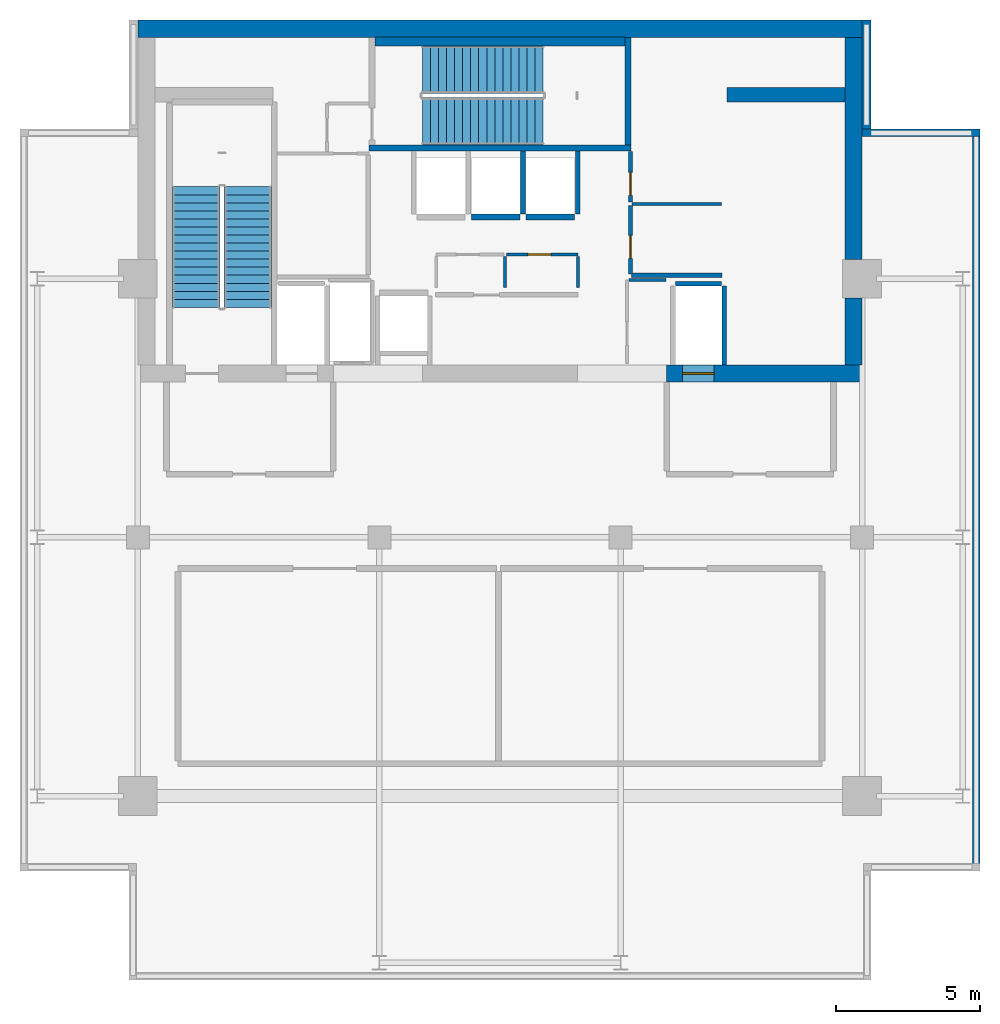
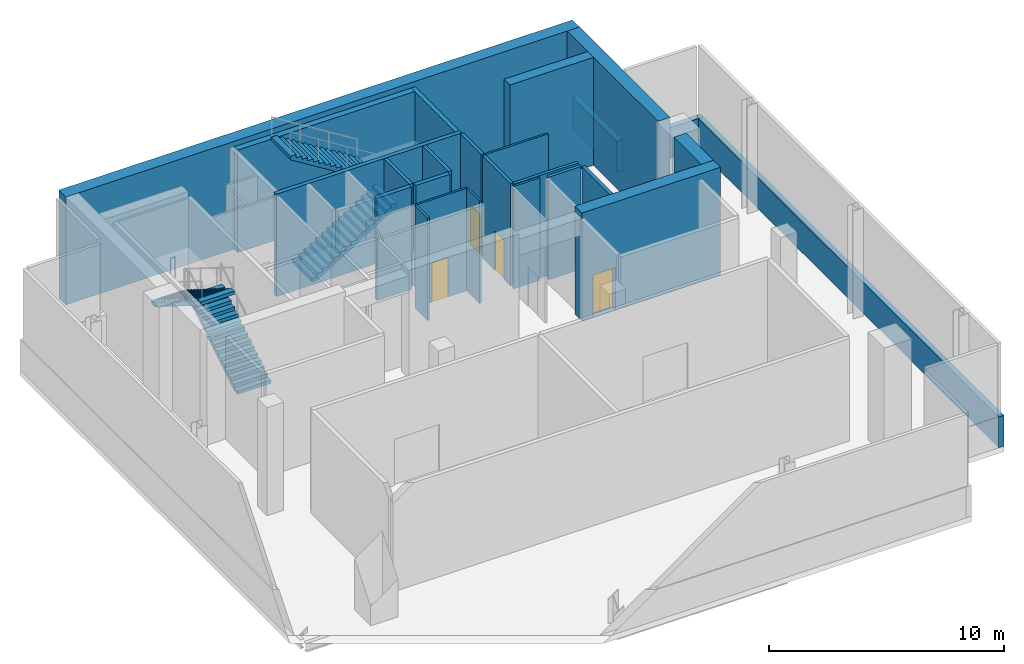
# One storey, part 3 of 6: 25 walls, 4 doors, 4 stair flights, 4 openings, 2 elements without a shape of their own.
"""IFC4 building model written with IfcOpenShell, lengths in metres."""

from ifc_helpers import new_model, si_unit, direction, frame, frame_2d, origin, place, context, subcontext, project, spatial, polyline, rectangle, outline, extrude, material, layer, layer_set, type_object, element, fill, aggregate, save


model = new_model("IFC4")

# Units and contexts
model_context = context("Model", 3, precision=1e-05, world=origin(), true_north=direction((0.0, 1.0)))
body_context = subcontext(model_context, "Body", "Model", "MODEL_VIEW")
ifc_project = project(units=[si_unit("LENGTHUNIT", "METRE"), si_unit("AREAUNIT", "SQUARE_METRE"), si_unit("VOLUMEUNIT", "CUBIC_METRE"), si_unit("PLANEANGLEUNIT", "RADIAN"), si_unit("MASSUNIT", "GRAM", prefix="KILO")], contexts=[model_context])

# Site, building, storey
site_placement = place(None, origin())
site = spatial("IfcSite", under=ifc_project, at=site_placement, CompositionType="ELEMENT")
building_placement = place(site_placement, origin())
building = spatial("IfcBuilding", under=site, at=building_placement, Name="Maruvema Waterfront Hotel and Observation Tower", CompositionType="ELEMENT")
storey_placement = place(building_placement, frame((0.0, 0.0, 364.35009765625)))
storey = spatial("IfcBuildingStorey", under=building, at=storey_placement, Name="L89", CompositionType="ELEMENT", Elevation=364.35009765625)

# Wall, opening, door
ifc_material_1 = material(Name="Twin-stud acoustic gypsum drywall", Category="gypsum")
ifc_layer_1 = layer(ifc_material_1, 0.14990234375, Name="Acoustic Corridor and Suite Demising Wall 150 mm")
ifc_layer_set_1 = layer_set([ifc_layer_1], Name="Twin-stud acoustic gypsum drywall")
wall_type_1 = type_object("IfcWallType", Name="Acoustic Corridor and Suite Demising Wall 150 mm", PredefinedType="PARTITIONING", material=ifc_layer_set_1)
wall_1_placement = place(storey_placement, frame((42.340087890625, 45.159912109375, 0.0), z_axis=(0.0, 0.0, 1.0), x_axis=(0.0, 1.0, 0.0)))
wall_1 = element("IfcWall", 1, at=wall_1_placement, inside=storey, type_object=wall_type_1, Name="L89 Freed B2 West S 023", PredefinedType="PARTITIONING", context=body_context, shape_type="SweptSolid", body=[
    extrude(rectangle(XDim=2.380126953125, YDim=0.14990234375, at=frame_2d((1.18994140625, 0.0))), origin(), (0.0, 0.0, 1.0), 5.31982421875),
])
opening_1_placement = place(wall_1_placement, frame((0.550048828125, 0.0, 0.0)))
opening_1 = element("IfcOpeningElement", 2, at=opening_1_placement, cuts=wall_1, Name="Opening DR-080", PredefinedType="OPENING", context=body_context, shape_type="SweptSolid", body=[
    extrude(rectangle(XDim=0.800048828125, YDim=2.050048828125, at=frame_2d((0.39990234375, 1.02490234375))), frame((0.0, 0.0849609375, 0.0), z_axis=(0.0, -1.0, 0.0), x_axis=(1.0, 0.0, 0.0)), (0.0, 0.0, 1.0), 0.169921875),
])
ifc_material_2 = material(Name="Powder-coated steel access leaf", Category="steel")
door_type_1 = type_object("IfcDoorType", Name="Riser and Service Cupboard Door 800x2050 mm", OperationType="NOTDEFINED", PredefinedType="DOOR", material=ifc_material_2)
door_1_placement = place(opening_1_placement, frame((0.800048828125, 0.0, 0.0), z_axis=(0.0, 0.0, 1.0), x_axis=(-1.0, 0.0, 0.0)))
door_1 = element("IfcDoor", 3, at=door_1_placement, inside=storey, type_object=door_type_1, Name="L89 Plant Comms Store Door", OperationType="SINGLE_SWING_RIGHT", OverallHeight=2.050048828125, OverallWidth=0.800048828125, PredefinedType="DOOR", context=body_context, shape_type="SweptSolid", body=[
    extrude(rectangle(XDim=0.800048828125, YDim=2.050048828125, at=frame_2d((0.39990234375, 1.02490234375))), frame((0.0, 0.02490234375, 0.0), z_axis=(0.0, -1.0, 0.0), x_axis=(1.0, 0.0, 0.0)), (0.0, 0.0, 1.0), 0.050048828125),
])
fill(opening_1, door_1)

wall_2_placement = place(storey_placement, frame((42.340087890625, 47.659912109375, 0.0), z_axis=(0.0, 0.0, 1.0), x_axis=(0.0, 1.0, 0.0)))
wall_2 = element("IfcWall", 4, at=wall_2_placement, inside=storey, type_object=wall_type_1, Name="L89 Freed B2 West N 024", PredefinedType="PARTITIONING", context=body_context, shape_type="SweptSolid", body=[
    extrude(rectangle(XDim=1.760009765625, YDim=0.14990234375, at=frame_2d((0.8798828125, 0.0))), origin(), (0.0, 0.0, 1.0), 5.31982421875),
])
opening_2_placement = place(wall_2_placement, frame((0.239990234375, 0.0, 0.0)))
opening_2 = element("IfcOpeningElement", 5, at=opening_2_placement, cuts=wall_2, Name="Opening DR-080", PredefinedType="OPENING", context=body_context, shape_type="SweptSolid", body=[
    extrude(rectangle(XDim=0.800048828125, YDim=2.050048828125, at=frame_2d((0.39990234375, 1.02490234375))), frame((0.0, 0.0849609375, 0.0), z_axis=(0.0, -1.0, 0.0), x_axis=(1.0, 0.0, 0.0)), (0.0, 0.0, 1.0), 0.169921875),
])
door_2_placement = place(opening_2_placement, frame((0.800048828125, 0.0, 0.0), z_axis=(0.0, 0.0, 1.0), x_axis=(-1.0, 0.0, 0.0)))
door_2 = element("IfcDoor", 6, at=door_2_placement, inside=storey, type_object=door_type_1, Name="L89 Plant Meter Closet East Door", OperationType="SINGLE_SWING_LEFT", OverallHeight=2.050048828125, OverallWidth=0.800048828125, PredefinedType="DOOR", context=body_context, shape_type="SweptSolid", body=[
    extrude(rectangle(XDim=0.800048828125, YDim=2.050048828125, at=frame_2d((0.39990234375, 1.02490234375))), frame((0.0, 0.02490234375, 0.0), z_axis=(0.0, -1.0, 0.0), x_axis=(1.0, 0.0, 0.0)), (0.0, 0.0, 1.0), 0.050048828125),
])
fill(opening_2, door_2)

# Walls
wall_3_placement = place(storey_placement, frame((42.3798828125, 45.1201171875, 0.0), z_axis=(0.0, 0.0, 1.0), x_axis=(1.0, 0.0, 0.0)))
element("IfcWall", 7, at=wall_3_placement, inside=storey, type_object=wall_type_1, Name="L89 Freed B2 South Wall 026", PredefinedType="PARTITIONING", context=body_context, shape_type="SweptSolid", body=[
    extrude(rectangle(XDim=3.14013671875, YDim=0.14990234375, at=frame_2d((1.570068359375, 0.0))), origin(), (0.0, 0.0, 1.0), 5.31982421875),
])
ifc_material_3 = material(Name="Precast concrete C45/55", Category="concrete")
ifc_layer_2 = layer(ifc_material_3, 0.300048828125, Name="Core Shaft Furring Wall 300 mm")
ifc_layer_set_2 = layer_set([ifc_layer_2], Name="Precast concrete C45/55")
wall_type_2 = type_object("IfcWallType", Name="Core Shaft Furring Wall 300 mm", PredefinedType="SOLIDWALL", material=ifc_layer_set_2)
wall_4_placement = place(storey_placement, frame((33.449951171875, 53.25, 0.0), z_axis=(0.0, 0.0, 1.0), x_axis=(1.0, 0.0, 0.0)))
element("IfcWall", 8, at=wall_4_placement, inside=storey, type_object=wall_type_2, Name="L89 Stairwell ST-02 North Furring Wall", PredefinedType="SOLIDWALL", context=body_context, shape_type="SweptSolid", body=[
    extrude(rectangle(XDim=8.699951171875, YDim=0.300048828125, at=frame_2d((4.35009765625, 0.0))), origin(), (0.0, 0.0, 1.0), 5.31982421875),
])
ifc_material_4 = material(Name="Precast concrete C45/55", Category="concrete")
ifc_layer_3 = layer(ifc_material_4, 0.199951171875, Name="Core Shaft and Stairwell Enclosure Wall 200 mm")
ifc_layer_set_3 = layer_set([ifc_layer_3], Name="Precast concrete C45/55")
wall_type_3 = type_object("IfcWallType", Name="Core Shaft and Stairwell Enclosure Wall 200 mm", PredefinedType="SOLIDWALL", material=ifc_layer_set_3)
wall_5_placement = place(storey_placement, frame((33.25, 49.550048828125, 0.0), z_axis=(0.0, 0.0, 1.0), x_axis=(1.0, 0.0, 0.0)))
element("IfcWall", 9, at=wall_5_placement, inside=storey, type_object=wall_type_3, Name="L89 Stairwell ST-02 Shaft Wall", PredefinedType="SOLIDWALL", context=body_context, shape_type="SweptSolid", body=[
    extrude(rectangle(XDim=9.10009765625, YDim=0.199951171875, at=frame_2d((4.550048828125, 0.0))), origin(), (0.0, 0.0, 1.0), 5.31982421875),
])
wall_6_placement = place(storey_placement, frame((42.25, 49.64990234375, 0.0), z_axis=(0.0, 0.0, 1.0), x_axis=(0.0, 1.0, 0.0)))
element("IfcWall", 10, at=wall_6_placement, inside=storey, type_object=wall_type_3, Name="L89 Stairwell ST-02 Shaft Wall", PredefinedType="SOLIDWALL", context=body_context, shape_type="SweptSolid", body=[
    extrude(rectangle(XDim=3.75, YDim=0.199951171875, at=frame_2d((1.875, 0.0))), origin(), (0.0, 0.0, 1.0), 5.31982421875),
])
for number, where, z_axis, x_axis, name in (
    (11, (36.81005859375, 47.14990234375, 0.0), (0.0, 0.0, 1.0), (1.0, 0.0, 0.0), "L89 Lift LF-13 Hoistway Front Wall"),
    (12, (38.7099609375, 47.14990234375, 0.0), (0.0, 0.0, 1.0), (1.0, 0.0, 0.0), "L89 Lift LF-14 Hoistway Front Wall"),
):
    element("IfcWall", number, at=place(storey_placement, frame(where, z_axis=z_axis, x_axis=x_axis)), inside=storey, type_object=wall_type_3, Name=name, PredefinedType="SOLIDWALL", context=body_context, shape_type="SweptSolid", body=[
        extrude(rectangle(XDim=1.679931640625, YDim=0.199951171875, at=frame_2d((0.83984375, 0.0))), origin(), (0.0, 0.0, 1.0), 5.31982421875),
    ])
ifc_material_5 = material(Name="Concrete C70/85", Category="concrete")
ifc_layer_4 = layer(ifc_material_5, 0.5, Name="Core Shear Wall 500 mm")
ifc_layer_set_4 = layer_set([ifc_layer_4], Name="Concrete C70/85")
wall_type_4 = type_object("IfcWallType", Name="Core Shear Wall 500 mm", PredefinedType="SHEAR", material=ifc_layer_set_4)
wall_7_placement = place(storey_placement, frame((45.699951171875, 51.39990234375, 0.0), z_axis=(0.0, 0.0, 1.0), x_axis=(1.0, 0.0, 0.0)))
element("IfcWall", 13, at=wall_7_placement, inside=storey, type_object=wall_type_4, Name="L89 Internal Core Shear Wall NE 500 mm", PredefinedType="SHEAR", context=body_context, shape_type="SweptSolid", body=[
    extrude(rectangle(XDim=4.10009765625, YDim=0.5, at=frame_2d((2.050048828125, 0.0))), origin(), (0.0, 0.0, 1.0), 5.599853515625),
])
ifc_material_6 = material(Name="Concrete C60/75", Category="concrete")
ifc_layer_5 = layer(ifc_material_6, 0.60009765625, Name="Core Shear Wall 600 mm")
ifc_layer_set_5 = layer_set([ifc_layer_5], Name="Concrete C60/75")
wall_type_5 = type_object("IfcWallType", Name="Core Shear Wall 600 mm", PredefinedType="SHEAR", material=ifc_layer_set_5)
wall_8_placement = place(storey_placement, frame((25.199951171875, 53.699951171875, 0.0), z_axis=(0.0, 0.0, 1.0), x_axis=(1.0, 0.0, 0.0)))
element("IfcWall", 14, at=wall_8_placement, inside=storey, type_object=wall_type_5, Name="L89 North Core Shear Wall", PredefinedType="SHEAR", context=body_context, shape_type="SweptSolid", body=[
    extrude(rectangle(XDim=25.199951171875, YDim=0.60009765625, at=frame_2d((12.60009765625, 0.0))), origin(), (0.0, 0.0, 1.0), 5.599853515625),
])

# Wall, opening, door
wall_9_placement = place(storey_placement, frame((43.60009765625, 41.699951171875, 0.0), z_axis=(0.0, 0.0, 1.0), x_axis=(1.0, 0.0, 0.0)))
wall_9 = element("IfcWall", 15, at=wall_9_placement, inside=storey, type_object=wall_type_5, Name="L89 South-East Core Shear Wall", PredefinedType="SHEAR", context=body_context, shape_type="SweptSolid", body=[
    extrude(rectangle(XDim=6.7998046875, YDim=0.60009765625, at=frame_2d((3.39990234375, 0.0))), origin(), (0.0, 0.0, 1.0), 5.599853515625),
])
opening_3_placement = place(wall_9_placement, frame((0.550048828125, 0.0, 0.0)))
opening_3 = element("IfcOpeningElement", 16, at=opening_3_placement, cuts=wall_9, Name="Opening LD-03", PredefinedType="OPENING", context=body_context, shape_type="SweptSolid", body=[
    extrude(rectangle(XDim=1.10009765625, YDim=2.199951171875, at=frame_2d((0.550048828125, 1.10009765625))), frame((0.0, 0.31005859375, 0.0), z_axis=(0.0, -1.0, 0.0), x_axis=(1.0, 0.0, 0.0)), (0.0, 0.0, 1.0), 0.6201171875),
])
ifc_material_7 = material(Name="Brushed stainless steel Grade 316", Category="steel")
door_type_2 = type_object("IfcDoorType", Name="Firefighting Lift Sliding Landing Door 1100x2200 mm", OperationType="SLIDING_TO_LEFT", PredefinedType="DOOR", material=ifc_material_7)
door_3_placement = place(opening_3_placement, frame((1.10009765625, 0.0, 0.0), z_axis=(0.0, 0.0, 1.0), x_axis=(-1.0, 0.0, 0.0)))
door_3 = element("IfcDoor", 17, at=door_3_placement, inside=storey, type_object=door_type_2, Name="L89 Firefighting Lift FL-02 Landing Door", OperationType="SLIDING_TO_LEFT", OverallHeight=2.199951171875, OverallWidth=1.10009765625, PredefinedType="DOOR", context=body_context, shape_type="SweptSolid", body=[
    extrude(rectangle(XDim=1.10009765625, YDim=2.199951171875, at=frame_2d((0.550048828125, 1.10009765625))), frame((0.0, 0.02490234375, 0.0), z_axis=(0.0, -1.0, 0.0), x_axis=(1.0, 0.0, 0.0)), (0.0, 0.0, 1.0), 0.050048828125),
])
fill(opening_3, door_3)

# Walls
wall_10_placement = place(storey_placement, frame((50.10009765625, 42.0, 0.0), z_axis=(0.0, 0.0, 1.0), x_axis=(0.0, 1.0, 0.0)))
element("IfcWall", 18, at=wall_10_placement, inside=storey, type_object=wall_type_5, Name="L89 East-South Core Shear Wall", PredefinedType="SHEAR", context=body_context, shape_type="SweptSolid", body=[
    extrude(rectangle(XDim=2.324951171875, YDim=0.60009765625, at=frame_2d((1.16259765625, 0.0))), origin(), (0.0, 0.0, 1.0), 5.599853515625),
])
wall_11_placement = place(storey_placement, frame((50.10009765625, 45.675048828125, 0.0), z_axis=(0.0, 0.0, 1.0), x_axis=(0.0, 1.0, 0.0)))
element("IfcWall", 19, at=wall_11_placement, inside=storey, type_object=wall_type_5, Name="L89 East-North Core Shear Wall", PredefinedType="SHEAR", context=body_context, shape_type="SweptSolid", body=[
    extrude(rectangle(XDim=7.724853515625, YDim=0.60009765625, at=frame_2d((3.8623046875, 0.0))), origin(), (0.0, 0.0, 1.0), 5.599853515625),
])

# Wall, opening, door
ifc_material_8 = material(Name="Moisture-resistant cement-board drywall", Category="gypsum")
ifc_layer_6 = layer(ifc_material_8, 0.10009765625, Name="En-Suite Moisture-Resistant Partition 100 mm")
ifc_layer_set_6 = layer_set([ifc_layer_6], Name="Moisture-resistant cement-board drywall")
wall_type_6 = type_object("IfcWallType", Name="En-Suite Moisture-Resistant Partition 100 mm", PredefinedType="PARTITIONING", material=ifc_layer_set_6)
wall_12_placement = place(storey_placement, frame((38.02001953125, 45.840087890625, 0.0), z_axis=(0.0, 0.0, 1.0), x_axis=(1.0, 0.0, 0.0)))
wall_12 = element("IfcWall", 20, at=wall_12_placement, inside=storey, type_object=wall_type_6, Name="L89 Core Closet K2B North 011", PredefinedType="PARTITIONING", context=body_context, shape_type="SweptSolid", body=[
    extrude(rectangle(XDim=2.5, YDim=0.10009765625, at=frame_2d((1.25, 0.0))), origin(), (0.0, 0.0, 1.0), 5.31982421875),
])
opening_4_placement = place(wall_12_placement, frame((0.75, 0.0, 0.0)))
opening_4 = element("IfcOpeningElement", 21, at=opening_4_placement, cuts=wall_12, Name="Opening DR-080", PredefinedType="OPENING", context=body_context, shape_type="SweptSolid", body=[
    extrude(rectangle(XDim=0.800048828125, YDim=2.050048828125, at=frame_2d((0.39990234375, 1.02490234375))), frame((0.0, 0.06005859375, 0.0), z_axis=(0.0, -1.0, 0.0), x_axis=(1.0, 0.0, 0.0)), (0.0, 0.0, 1.0), 0.1201171875),
])
door_4_placement = place(opening_4_placement, origin())
door_4 = element("IfcDoor", 22, at=door_4_placement, inside=storey, type_object=door_type_1, Name="L89 Plant Valve Closet Door", OperationType="SINGLE_SWING_LEFT", OverallHeight=2.050048828125, OverallWidth=0.800048828125, PredefinedType="DOOR", context=body_context, shape_type="SweptSolid", body=[
    extrude(rectangle(XDim=0.800048828125, YDim=2.050048828125, at=frame_2d((0.39990234375, 1.02490234375))), frame((0.0, 0.02490234375, 0.0), z_axis=(0.0, -1.0, 0.0), x_axis=(1.0, 0.0, 0.0)), (0.0, 0.0, 1.0), 0.050048828125),
])
fill(opening_4, door_4)

# Walls
for number, where, z_axis, x_axis, name in (
    (23, (37.97998046875, 44.699951171875, 0.0), (0.0, 0.0, 1.0), (0.0, 1.0, 0.0), "L89 Core Closet K2 Mid 013"),
    (24, (40.52001953125, 44.699951171875, 0.0), (0.0, 0.0, 1.0), (0.0, 1.0, 0.0), "L89 Core Closet K2 East 014"),
):
    element("IfcWall", number, at=place(storey_placement, frame(where, z_axis=z_axis, x_axis=x_axis)), inside=storey, type_object=wall_type_6, Name=name, PredefinedType="PARTITIONING", context=body_context, shape_type="SweptSolid", body=[
        extrude(rectangle(XDim=1.080078125, YDim=0.10009765625, at=frame_2d((0.5400390625, 0.0))), origin(), (0.0, 0.0, 1.0), 5.31982421875),
    ])
wall_13_placement = place(storey_placement, frame((42.280029296875, 44.9599609375, 0.0), z_axis=(0.0, 0.0, 1.0), x_axis=(1.0, 0.0, 0.0)))
element("IfcWall", 25, at=wall_13_placement, inside=storey, type_object=wall_type_6, Name="L89 Core Closet K2C North 016", PredefinedType="PARTITIONING", context=body_context, shape_type="SweptSolid", body=[
    extrude(rectangle(XDim=1.300048828125, YDim=0.10009765625, at=frame_2d((0.64990234375, 0.0))), origin(), (0.0, 0.0, 1.0), 5.31982421875),
])
wall_14_placement = place(storey_placement, frame((42.39990234375, 47.60009765625, 0.0), z_axis=(0.0, 0.0, 1.0), x_axis=(1.0, 0.0, 0.0)))
element("IfcWall", 26, at=wall_14_placement, inside=storey, type_object=wall_type_6, Name="L89 Freed B2 Split 025", PredefinedType="PARTITIONING", context=body_context, shape_type="SweptSolid", body=[
    extrude(rectangle(XDim=3.10009765625, YDim=0.10009765625, at=frame_2d((1.550048828125, 0.0))), origin(), (0.0, 0.0, 1.0), 5.31982421875),
])
ifc_material_9 = material(Name="Precast concrete C45/55 with honed Pernambuco granite facing", Category="masonry")
ifc_layer_7 = layer(ifc_material_9, 0.260009765625, Name="Exterior Granite Clad Spandrel and Pier Wall 260 mm")
ifc_layer_set_7 = layer_set([ifc_layer_7], Name="Precast concrete C45/55 with honed Pernambuco granite facing")
wall_type_7 = type_object("IfcWallType", Name="Exterior Granite Clad Spandrel and Pier Wall 260 mm", PredefinedType="SOLIDWALL", material=ifc_layer_set_7)
wall_15_placement = place(storey_placement, frame((54.3701171875, 24.39990234375, 0.0), z_axis=(0.0, 0.0, 1.0), x_axis=(0.0, 1.0, 0.0)))
element("IfcWall", 27, at=wall_15_placement, inside=storey, type_object=wall_type_7, Name="L89 Mechanical Perimeter Spandrel Wall 04", PredefinedType="SOLIDWALL", context=body_context, shape_type="SweptSolid", body=[
    extrude(rectangle(XDim=25.800048828125, YDim=0.260009765625, at=frame_2d((12.89990234375, 0.0))), origin(), (0.0, 0.0, 1.0), 1.599853515625),
])
wall_16_placement = place(storey_placement, frame((54.5, 50.070068359375, 0.0), z_axis=(0.0, 0.0, 1.0), x_axis=(-1.0, 0.0, 0.0)))
element("IfcWall", 28, at=wall_16_placement, inside=storey, type_object=wall_type_7, Name="L89 Mechanical Perimeter Spandrel Wall 05", PredefinedType="SOLIDWALL", context=body_context, shape_type="SweptSolid", body=[
    extrude(rectangle(XDim=4.10009765625, YDim=0.260009765625, at=frame_2d((2.050048828125, 0.0))), origin(), (0.0, 0.0, 1.0), 1.599853515625),
])
ifc_material_10 = material(Name="Precast concrete C45/55", Category="concrete")
ifc_layer_8 = layer(ifc_material_10, 0.159912109375, Name="Lift Hoistway Divider Wall 160 mm")
ifc_layer_set_8 = layer_set([ifc_layer_8], Name="Precast concrete C45/55")
wall_type_8 = type_object("IfcWallType", Name="Lift Hoistway Divider Wall 160 mm", PredefinedType="SOLIDWALL", material=ifc_layer_set_8)
wall_17_placement = place(storey_placement, frame((43.89990234375, 44.830078125, 0.0), z_axis=(0.0, 0.0, 1.0), x_axis=(1.0, 0.0, 0.0)))
element("IfcWall", 29, at=wall_17_placement, inside=storey, type_object=wall_type_8, Name="L89 Lift FL-02 Rear Hoistway Wall", PredefinedType="SOLIDWALL", context=body_context, shape_type="SweptSolid", body=[
    extrude(rectangle(XDim=1.60009765625, YDim=0.159912109375, at=frame_2d((0.800048828125, 0.0))), origin(), (0.0, 0.0, 1.0), 5.31982421875),
])
wall_18_placement = place(storey_placement, frame((45.60009765625, 42.0, 0.0), z_axis=(0.0, 0.0, 1.0), x_axis=(0.0, 1.0, 0.0)))
element("IfcWall", 30, at=wall_18_placement, inside=storey, type_object=wall_type_8, Name="L89 Lift FL-02 Outer Hoistway Wall", PredefinedType="SOLIDWALL", context=body_context, shape_type="SweptSolid", body=[
    extrude(rectangle(XDim=2.739990234375, YDim=0.159912109375, at=frame_2d((1.3701171875, 0.0))), origin(), (0.0, 0.0, 1.0), 5.31982421875),
])
for number, where, z_axis, x_axis, name in (
    (31, (38.60009765625, 47.25, 0.0), (0.0, 0.0, 1.0), (0.0, 1.0, 0.0), "L89 Hoistway Divider Wall"),
    (32, (40.5, 47.25, 0.0), (0.0, 0.0, 1.0), (0.0, 1.0, 0.0), "L89 Hoistway Divider Wall"),
):
    element("IfcWall", number, at=place(storey_placement, frame(where, z_axis=z_axis, x_axis=x_axis)), inside=storey, type_object=wall_type_8, Name=name, PredefinedType="SOLIDWALL", context=body_context, shape_type="SweptSolid", body=[
        extrude(rectangle(XDim=2.18994140625, YDim=0.159912109375, at=frame_2d((1.094970703125, 0.0))), origin(), (0.0, 0.0, 1.0), 5.31982421875),
    ])
ifc_material_11 = material(Name="Precast concrete C45/55 with honed Pernambuco granite facing", Category="masonry")
ifc_layer_9 = layer(ifc_material_11, 0.300048828125, Name="Podium Waterfront Granite Colonnade Wall 300 mm")
ifc_layer_set_9 = layer_set([ifc_layer_9], Name="Precast concrete C45/55 with honed Pernambuco granite facing")
wall_type_9 = type_object("IfcWallType", Name="Podium Waterfront Granite Colonnade Wall 300 mm", PredefinedType="SOLIDWALL", material=ifc_layer_set_9)
wall_19_placement = place(storey_placement, frame((50.550048828125, 50.199951171875, 0.0), z_axis=(0.0, 0.0, 1.0), x_axis=(0.0, 1.0, 0.0)))
element("IfcWall", 33, at=wall_19_placement, inside=storey, type_object=wall_type_9, Name="L89 Mechanical Perimeter Spandrel Wall 06", PredefinedType="SOLIDWALL", context=body_context, shape_type="SweptSolid", body=[
    extrude(rectangle(XDim=3.800048828125, YDim=0.300048828125, at=frame_2d((1.89990234375, 0.0))), origin(), (0.0, 0.0, 1.0), 1.599853515625),
])

# Stair, stair flights
ifc_material_12 = material(Name="Concrete C50/60", Category="concrete")
stair_type = type_object("IfcStairType", Name="Dogleg Exit Stair 1650 mm (32R x 175.0 mm)", PredefinedType="HALF_TURN_STAIR", material=ifc_material_12)
stair_1_placement = place(storey_placement, origin())
stair_1 = element("IfcStair", 34, at=stair_1_placement, inside=storey, type_object=stair_type, Name="L89 ST-01", PredefinedType="HALF_TURN_STAIR")
ifc_material_13 = material(Name="Concrete C50/60", Category="concrete")
stair_flight_type = type_object("IfcStairFlightType", Name="Reinforced Concrete Stair Flight 1650 mm (16R x 175.0 mm)", PredefinedType="STRAIGHT", material=ifc_material_13)
stair_flight_1_placement = place(storey_placement, frame((29.02490234375, 44.0, 0.0), z_axis=(0.0, 0.0, 1.0), x_axis=(0.0, 1.0, 0.0)))
stair_flight_1 = element("IfcStairFlight", 35, at=stair_flight_1_placement, type_object=stair_flight_type, Name="ST-01 flight 1", NumberOfRisers=16, NumberOfTreads=15, PredefinedType="STRAIGHT", RiserHeight=0.175, TreadLength=0.28, context=body_context, shape_type="SweptSolid", body=[
    extrude(outline(polyline([(0.0, 0.0), (0.0, 0.175048828125), (0.280029296875, 0.175048828125), (0.280029296875, 0.35009765625), (0.56005859375, 0.35009765625), (0.56005859375, 0.52490234375), (0.840087890625, 0.52490234375), (0.840087890625, 0.699951171875), (1.1201171875, 0.699951171875), (1.1201171875, 0.875), (1.39990234375, 0.875), (1.39990234375, 1.050048828125), (1.679931640625, 1.050048828125), (1.679931640625, 1.22509765625), (1.9599609375, 1.22509765625), (1.9599609375, 1.39990234375), (2.239990234375, 1.39990234375), (2.239990234375, 1.574951171875), (2.52001953125, 1.574951171875), (2.52001953125, 1.75), (2.800048828125, 1.75), (2.800048828125, 1.925048828125), (3.080078125, 1.925048828125), (3.080078125, 2.10009765625), (3.360107421875, 2.10009765625), (3.360107421875, 2.27490234375), (3.639892578125, 2.27490234375), (3.639892578125, 2.449951171875), (3.919921875, 2.449951171875), (3.919921875, 2.625), (4.199951171875, 2.625), (4.199951171875, 2.800048828125), (4.199951171875, 2.4482421875), (0.28271484375, 0.0), (0.0, 0.0)])), frame((0.0, 0.824951171875, 0.0), z_axis=(0.0, -1.0, 0.0), x_axis=(1.0, 0.0, 0.0)), (0.0, 0.0, 1.0), 1.64990234375),
])
stair_flight_2_placement = place(storey_placement, frame((27.22509765625, 48.199951171875, 2.7998046875), z_axis=(0.0, 0.0, 1.0), x_axis=(0.0, -1.0, 0.0)))
stair_flight_2 = element("IfcStairFlight", 36, at=stair_flight_2_placement, type_object=stair_flight_type, Name="ST-01 flight 2", NumberOfRisers=16, NumberOfTreads=15, PredefinedType="STRAIGHT", RiserHeight=0.175, TreadLength=0.28, context=body_context, shape_type="SweptSolid", body=[
    extrude(outline(polyline([(0.0, 0.0), (0.0, 0.175048828125), (0.280029296875, 0.175048828125), (0.280029296875, 0.35009765625), (0.56005859375, 0.35009765625), (0.56005859375, 0.52490234375), (0.840087890625, 0.52490234375), (0.840087890625, 0.699951171875), (1.1201171875, 0.699951171875), (1.1201171875, 0.875), (1.39990234375, 0.875), (1.39990234375, 1.050048828125), (1.679931640625, 1.050048828125), (1.679931640625, 1.22509765625), (1.9599609375, 1.22509765625), (1.9599609375, 1.39990234375), (2.239990234375, 1.39990234375), (2.239990234375, 1.574951171875), (2.52001953125, 1.574951171875), (2.52001953125, 1.75), (2.800048828125, 1.75), (2.800048828125, 1.925048828125), (3.080078125, 1.925048828125), (3.080078125, 2.10009765625), (3.360107421875, 2.10009765625), (3.360107421875, 2.27490234375), (3.639892578125, 2.27490234375), (3.639892578125, 2.449951171875), (3.919921875, 2.449951171875), (3.919921875, 2.625), (4.199951171875, 2.625), (4.199951171875, 2.800048828125), (4.199951171875, 2.4482421875), (0.28271484375, 0.0), (0.0, 0.0)])), frame((0.0, 0.824951171875, 0.0), z_axis=(0.0, -1.0, 0.0), x_axis=(1.0, 0.0, 0.0)), (0.0, 0.0, 1.0), 1.64990234375),
])
aggregate(stair_1, [stair_flight_1, stair_flight_2])

stair_2_placement = place(storey_placement, origin())
stair_2 = element("IfcStair", 37, at=stair_2_placement, inside=storey, type_object=stair_type, Name="L89 ST-02", PredefinedType="HALF_TURN_STAIR")
stair_flight_3_placement = place(storey_placement, frame((35.10009765625, 50.47509765625, 0.0), z_axis=(0.0, 0.0, 1.0), x_axis=(1.0, 0.0, 0.0)))
stair_flight_3 = element("IfcStairFlight", 38, at=stair_flight_3_placement, type_object=stair_flight_type, Name="ST-02 flight 1", NumberOfRisers=16, NumberOfTreads=15, PredefinedType="STRAIGHT", RiserHeight=0.175, TreadLength=0.28, context=body_context, shape_type="SweptSolid", body=[
    extrude(outline(polyline([(0.0, 0.0), (0.0, 0.175048828125), (0.280029296875, 0.175048828125), (0.280029296875, 0.35009765625), (0.56005859375, 0.35009765625), (0.56005859375, 0.52490234375), (0.840087890625, 0.52490234375), (0.840087890625, 0.699951171875), (1.1201171875, 0.699951171875), (1.1201171875, 0.875), (1.39990234375, 0.875), (1.39990234375, 1.050048828125), (1.679931640625, 1.050048828125), (1.679931640625, 1.22509765625), (1.9599609375, 1.22509765625), (1.9599609375, 1.39990234375), (2.239990234375, 1.39990234375), (2.239990234375, 1.574951171875), (2.52001953125, 1.574951171875), (2.52001953125, 1.75), (2.800048828125, 1.75), (2.800048828125, 1.925048828125), (3.080078125, 1.925048828125), (3.080078125, 2.10009765625), (3.360107421875, 2.10009765625), (3.360107421875, 2.27490234375), (3.639892578125, 2.27490234375), (3.639892578125, 2.449951171875), (3.919921875, 2.449951171875), (3.919921875, 2.625), (4.199951171875, 2.625), (4.199951171875, 2.800048828125), (4.199951171875, 2.4482421875), (0.28271484375, 0.0), (0.0, 0.0)])), frame((0.0, 0.824951171875, 0.0), z_axis=(0.0, -1.0, 0.0), x_axis=(1.0, 0.0, 0.0)), (0.0, 0.0, 1.0), 1.64990234375),
])
stair_flight_4_placement = place(storey_placement, frame((39.300048828125, 52.27490234375, 2.7998046875), z_axis=(0.0, 0.0, 1.0), x_axis=(-1.0, 0.0, 0.0)))
stair_flight_4 = element("IfcStairFlight", 39, at=stair_flight_4_placement, type_object=stair_flight_type, Name="ST-02 flight 2", NumberOfRisers=16, NumberOfTreads=15, PredefinedType="STRAIGHT", RiserHeight=0.175, TreadLength=0.28, context=body_context, shape_type="SweptSolid", body=[
    extrude(outline(polyline([(0.0, 0.0), (0.0, 0.175048828125), (0.280029296875, 0.175048828125), (0.280029296875, 0.35009765625), (0.56005859375, 0.35009765625), (0.56005859375, 0.52490234375), (0.840087890625, 0.52490234375), (0.840087890625, 0.699951171875), (1.1201171875, 0.699951171875), (1.1201171875, 0.875), (1.39990234375, 0.875), (1.39990234375, 1.050048828125), (1.679931640625, 1.050048828125), (1.679931640625, 1.22509765625), (1.9599609375, 1.22509765625), (1.9599609375, 1.39990234375), (2.239990234375, 1.39990234375), (2.239990234375, 1.574951171875), (2.52001953125, 1.574951171875), (2.52001953125, 1.75), (2.800048828125, 1.75), (2.800048828125, 1.925048828125), (3.080078125, 1.925048828125), (3.080078125, 2.10009765625), (3.360107421875, 2.10009765625), (3.360107421875, 2.27490234375), (3.639892578125, 2.27490234375), (3.639892578125, 2.449951171875), (3.919921875, 2.449951171875), (3.919921875, 2.625), (4.199951171875, 2.625), (4.199951171875, 2.800048828125), (4.199951171875, 2.4482421875), (0.28271484375, 0.0), (0.0, 0.0)])), frame((0.0, 0.824951171875, 0.0), z_axis=(0.0, -1.0, 0.0), x_axis=(1.0, 0.0, 0.0)), (0.0, 0.0, 1.0), 1.64990234375),
])
aggregate(stair_2, [stair_flight_3, stair_flight_4])

save(model, "model.ifc")
